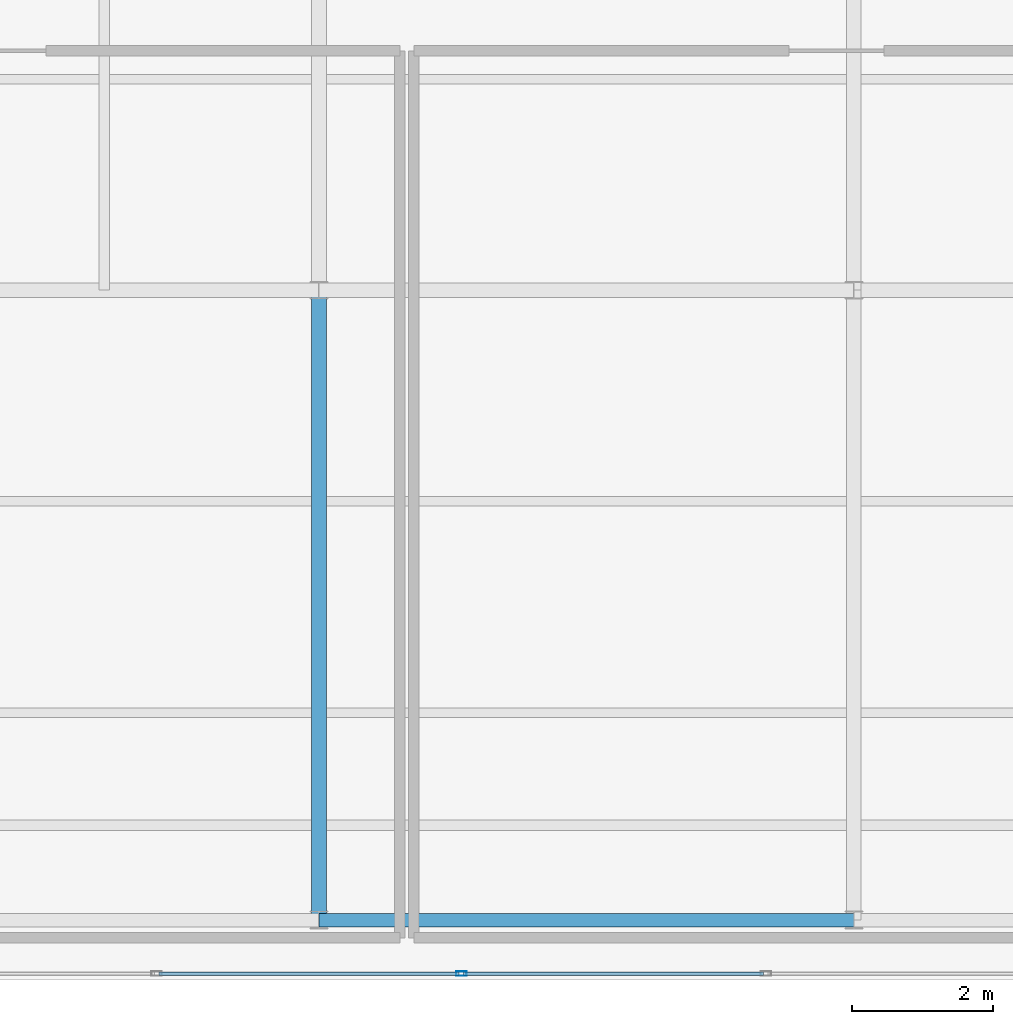
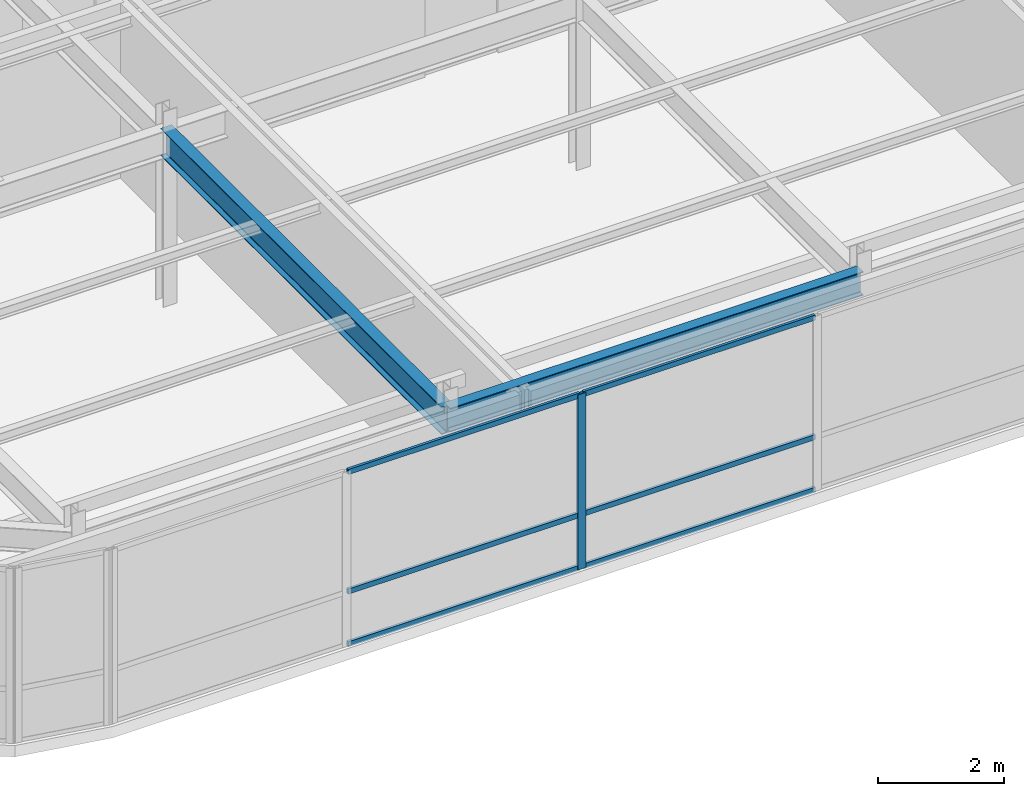
# One storey, part 7 of 35: 7 members, 2 beams, 1 element without a shape of its own.
"""IFC4 building model written with IfcOpenShell, lengths in metres."""

from ifc_helpers import new_model, si_unit, direction, frame, origin, origin_2d, place, context, subcontext, project, spatial, hollow_rectangle, i_section, extrude, source, transform, mapped, material, layer, layer_set, material_profile, profile_set, type_object, type_shapes, element, aggregate, save


model = new_model("IFC4")

# Units and contexts
model_context = context("Model", 3, precision=1e-05, world=origin(), true_north=direction((0.0, 1.0)))
body_context = subcontext(model_context, "Body", "Model", "MODEL_VIEW")
ifc_project = project(units=[si_unit("LENGTHUNIT", "METRE"), si_unit("AREAUNIT", "SQUARE_METRE"), si_unit("VOLUMEUNIT", "CUBIC_METRE"), si_unit("PLANEANGLEUNIT", "RADIAN"), si_unit("MASSUNIT", "GRAM", prefix="KILO")], contexts=[model_context])

# Site, building, storey
site_placement = place(None, origin())
site = spatial("IfcSite", under=ifc_project, at=site_placement, CompositionType="ELEMENT")
building_placement = place(site_placement, origin())
building = spatial("IfcBuilding", under=site, at=building_placement, Name="Tolvann Quenvar Hotel", CompositionType="ELEMENT")
storey_placement = place(building_placement, frame((0.0, 0.0, 309.949951171875)))
storey = spatial("IfcBuildingStorey", under=building, at=storey_placement, Name="L82", CompositionType="ELEMENT", Elevation=309.949951171875)

# Beams
ifc_material_1 = material(Name="Steel Grade 350", Category="steel")
ifc_material_profile_1 = material_profile(ifc_material_1, i_section(OverallWidth=0.19091796875, OverallDepth=0.4599609375, WebThickness=0.010009765625, FlangeThickness=0.01611328125, FilletRadius=0.011474609375, at=origin_2d()), Name="460UB82")
ifc_profile_set_1 = profile_set([ifc_material_profile_1], Name="Steel Grade 350")
beam_type_1 = type_object("IfcBeamType", Name="BM_SPAND_460UB82", PredefinedType="SPANDREL", material=ifc_profile_set_1)
shared_shape_1 = source(origin(), body_context, "Body", "SweptSolid", [
    extrude(i_section(OverallWidth=0.19091796875, OverallDepth=0.4599609375, WebThickness=0.010009765625, FlangeThickness=0.01611328125, FilletRadius=0.011474609375, at=origin_2d()), origin(), (0.0, 0.0, 1.0), 7.60009765625),
])
type_shapes(beam_type_1, [shared_shape_1])
beam_1_placement = place(storey_placement, frame((14.449951171875, 7.050048828125, 3.170166015625), z_axis=(1.0, 0.0, 0.0), x_axis=(0.0, 1.0, 0.0)))
element("IfcBeam", 1, at=beam_1_placement, inside=storey, type_object=beam_type_1, Name="BM-L82-EW-2-D2-E2", PredefinedType="SPANDREL", context=body_context, shape_type="MappedRepresentation", body=[
    mapped(shared_shape_1, transform((0.0, 0.0, 0.0), x_axis=(1.0, 0.0, 0.0), y_axis=(0.0, 1.0, 0.0), z_axis=(0.0, 0.0, 1.0), scale=1.0)),
])
ifc_material_profile_2 = material_profile(ifc_material_1, i_section(OverallWidth=0.208984375, OverallDepth=0.532958984375, WebThickness=0.01025390625, FlangeThickness=0.015625, FilletRadius=0.013916015625, at=origin_2d()), Name="530UB92")
ifc_profile_set_2 = profile_set([ifc_material_profile_2], Name="Steel Grade 350")
beam_type_2 = type_object("IfcBeamType", Name="BM_GIRD_530UB92", PredefinedType="BEAM", material=ifc_profile_set_2)
shared_shape_2 = source(origin(), body_context, "Body", "SweptSolid", [
    extrude(i_section(OverallWidth=0.208984375, OverallDepth=0.532958984375, WebThickness=0.01025390625, FlangeThickness=0.015625, FilletRadius=0.013916015625, at=origin_2d()), origin(), (0.0, 0.0, 1.0), 8.949951171875),
])
type_shapes(beam_type_2, [shared_shape_2])
beam_2_placement = place(storey_placement, frame((14.449951171875, 7.050048828125, 3.133544921875), z_axis=(0.0, 1.0, 0.0), x_axis=(-1.0, 0.0, 0.0)))
element("IfcBeam", 2, at=beam_2_placement, inside=storey, type_object=beam_type_2, Name="BM-L82-NS-D2-D4", PredefinedType="BEAM", context=body_context, shape_type="MappedRepresentation", body=[
    mapped(shared_shape_2, transform((0.0, 0.0, 0.0), x_axis=(1.0, 0.0, 0.0), y_axis=(0.0, 1.0, 0.0), z_axis=(0.0, 0.0, 1.0), scale=1.0)),
])

# Curtain wall, members
ifc_material_2 = material(Name="Thermally broken anodised architectural aluminium 6063-T6 and laminated low-E glass", Category="aluminium")
ifc_layer = layer(ifc_material_2, 0.179931640625)
ifc_layer_set = layer_set([ifc_layer], Name="Thermally broken anodised architectural aluminium 6063-T6 and laminated low-E glass")
curtain_wall_type = type_object("IfcCurtainWallType", Name="CW_SYS_LANT_06", PredefinedType="USERDEFINED", material=ifc_layer_set)
curtain_wall_placement = place(storey_placement, origin())
curtain_wall = element("IfcCurtainWall", 3, at=curtain_wall_placement, inside=storey, type_object=curtain_wall_type, Name="Curtain Wall CW-LANT-06 (CWR-L82-E04)", ObjectType="UNITISED CURTAIN WALL", PredefinedType="USERDEFINED")
ifc_material_3 = material(Name="Anodised architectural aluminium 6063-T6 framing", Category="aluminium")
ifc_material_profile_3 = material_profile(ifc_material_3, hollow_rectangle(XDim=0.050048828125, YDim=0.10009765625, WallThickness=0.0029296875, at=origin_2d()), Name="100x50x3RHS")
ifc_profile_set_3 = profile_set([ifc_material_profile_3], Name="Anodised architectural aluminium 6063-T6 framing")
member_type_1 = type_object("IfcMemberType", Name="CW_TRAN_100x50", PredefinedType="USERDEFINED", material=ifc_profile_set_3)
shared_shape_3 = source(origin(), body_context, "Body", "SweptSolid", [
    extrude(hollow_rectangle(XDim=0.050048828125, YDim=0.10009765625, WallThickness=0.0029296875, at=origin_2d()), origin(), (0.0, 0.0, 1.0), 4.2626953125),
])
type_shapes(member_type_1, [shared_shape_3])
member_1_placement = place(storey_placement, frame((12.17724609375, 6.2900390625, 0.025146484375), z_axis=(1.0, 0.0, 0.0), x_axis=(0.0, 1.0, 0.0)))
member_1 = element("IfcMember", 4, at=member_1_placement, type_object=member_type_1, Name="CW-LANT-06 transom 2.1", ObjectType="TRANSOM", PredefinedType="USERDEFINED", context=body_context, shape_type="MappedRepresentation", body=[
    mapped(shared_shape_3, transform((0.0, 0.0, 0.0), x_axis=(1.0, 0.0, 0.0), y_axis=(0.0, 1.0, 0.0), z_axis=(0.0, 0.0, 1.0), scale=1.0)),
])
member_2_placement = place(storey_placement, frame((12.17724609375, 6.2900390625, 1.050048828125), z_axis=(1.0, 0.0, 0.0), x_axis=(0.0, 1.0, 0.0)))
member_2 = element("IfcMember", 5, at=member_2_placement, type_object=member_type_1, Name="CW-LANT-06 transom 2.2", ObjectType="TRANSOM", PredefinedType="USERDEFINED", context=body_context, shape_type="MappedRepresentation", body=[
    mapped(shared_shape_3, transform((0.0, 0.0, 0.0), x_axis=(1.0, 0.0, 0.0), y_axis=(0.0, 1.0, 0.0), z_axis=(0.0, 0.0, 1.0), scale=1.0)),
])
member_3_placement = place(storey_placement, frame((12.17724609375, 6.2900390625, 3.375), z_axis=(1.0, 0.0, 0.0), x_axis=(0.0, 1.0, 0.0)))
member_3 = element("IfcMember", 6, at=member_3_placement, type_object=member_type_1, Name="CW-LANT-06 transom 2.3", ObjectType="TRANSOM", PredefinedType="USERDEFINED", context=body_context, shape_type="MappedRepresentation", body=[
    mapped(shared_shape_3, transform((0.0, 0.0, 0.0), x_axis=(1.0, 0.0, 0.0), y_axis=(0.0, 1.0, 0.0), z_axis=(0.0, 0.0, 1.0), scale=1.0)),
])
member_4_placement = place(storey_placement, frame((16.5048828125, 6.2900390625, 0.025146484375), z_axis=(1.0, 0.0, 0.0), x_axis=(0.0, 1.0, 0.0)))
member_4 = element("IfcMember", 7, at=member_4_placement, type_object=member_type_1, Name="CW-LANT-06 transom 3.1", ObjectType="TRANSOM", PredefinedType="USERDEFINED", context=body_context, shape_type="MappedRepresentation", body=[
    mapped(shared_shape_3, transform((0.0, 0.0, 0.0), x_axis=(1.0, 0.0, 0.0), y_axis=(0.0, 1.0, 0.0), z_axis=(0.0, 0.0, 1.0), scale=1.0)),
])
member_5_placement = place(storey_placement, frame((16.5048828125, 6.2900390625, 1.050048828125), z_axis=(1.0, 0.0, 0.0), x_axis=(0.0, 1.0, 0.0)))
member_5 = element("IfcMember", 8, at=member_5_placement, type_object=member_type_1, Name="CW-LANT-06 transom 3.2", ObjectType="TRANSOM", PredefinedType="USERDEFINED", context=body_context, shape_type="MappedRepresentation", body=[
    mapped(shared_shape_3, transform((0.0, 0.0, 0.0), x_axis=(1.0, 0.0, 0.0), y_axis=(0.0, 1.0, 0.0), z_axis=(0.0, 0.0, 1.0), scale=1.0)),
])
member_6_placement = place(storey_placement, frame((16.5048828125, 6.2900390625, 3.375), z_axis=(1.0, 0.0, 0.0), x_axis=(0.0, 1.0, 0.0)))
member_6 = element("IfcMember", 9, at=member_6_placement, type_object=member_type_1, Name="CW-LANT-06 transom 3.3", ObjectType="TRANSOM", PredefinedType="USERDEFINED", context=body_context, shape_type="MappedRepresentation", body=[
    mapped(shared_shape_3, transform((0.0, 0.0, 0.0), x_axis=(1.0, 0.0, 0.0), y_axis=(0.0, 1.0, 0.0), z_axis=(0.0, 0.0, 1.0), scale=1.0)),
])
ifc_material_profile_4 = material_profile(ifc_material_3, hollow_rectangle(XDim=0.06494140625, YDim=0.14990234375, WallThickness=0.00390625, at=origin_2d()), Name="150x65x4RHS")
ifc_profile_set_4 = profile_set([ifc_material_profile_4], Name="Anodised architectural aluminium 6063-T6 framing")
member_type_2 = type_object("IfcMemberType", Name="CW_MULL_150x65", PredefinedType="MULLION", material=ifc_profile_set_4)
shared_shape_4 = source(origin(), body_context, "Body", "SweptSolid", [
    extrude(hollow_rectangle(XDim=0.06494140625, YDim=0.14990234375, WallThickness=0.00390625, at=origin_2d()), origin(), (0.0, 0.0, 1.0), 3.400146484375),
])
type_shapes(member_type_2, [shared_shape_4])
member_7_placement = place(storey_placement, frame((16.472412109375, 6.2900390625, 0.0), z_axis=(0.0, 0.0, 1.0), x_axis=(0.0, 1.0, 0.0)))
member_7 = element("IfcMember", 10, at=member_7_placement, type_object=member_type_2, Name="CW-LANT-06 mullion 3", PredefinedType="MULLION", context=body_context, shape_type="MappedRepresentation", body=[
    mapped(shared_shape_4, transform((0.0, 0.0, 0.0), x_axis=(1.0, 0.0, 0.0), y_axis=(0.0, 1.0, 0.0), z_axis=(0.0, 0.0, 1.0), scale=1.0)),
])
aggregate(curtain_wall, [member_7, member_1, member_2, member_3, member_4, member_5, member_6])

save(model, "model.ifc")
